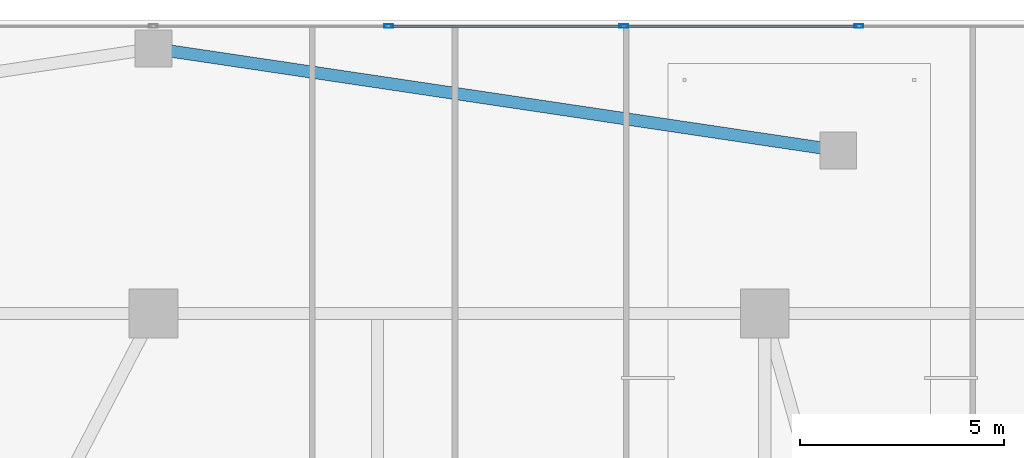
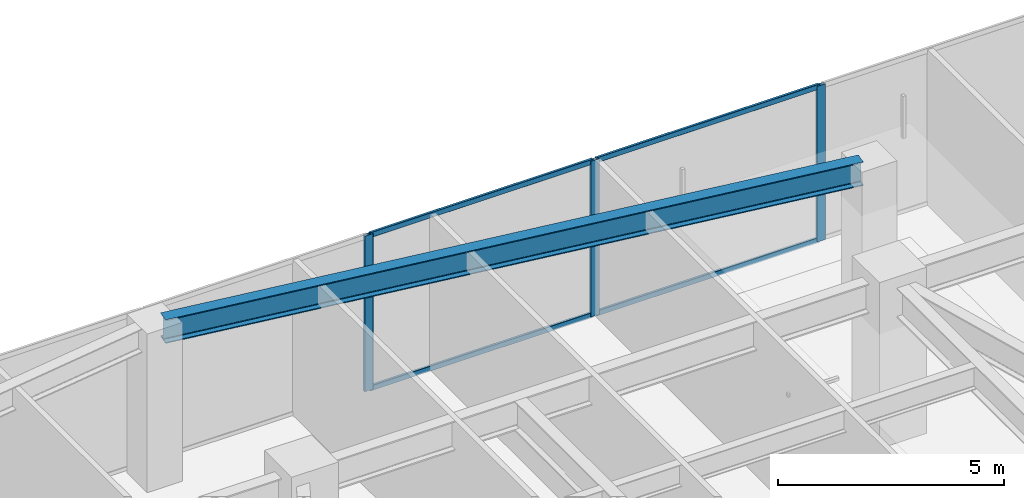
# One storey, part 6 of 22: 7 members, 1 beam, 1 element without a shape of its own.
"""IFC4 building model written with IfcOpenShell, lengths in metres."""

from ifc_helpers import new_model, si_unit, direction, frame, origin, origin_2d, place, context, subcontext, project, spatial, hollow_rectangle, i_section, extrude, material, layer, layer_set, material_profile, profile_set, type_object, element, aggregate, save


model = new_model("IFC4")

# Units and contexts
model_context = context("Model", 3, precision=1e-05, world=origin(), true_north=direction((0.0, 1.0)))
body_context = subcontext(model_context, "Body", "Model", "MODEL_VIEW")
ifc_project = project(units=[si_unit("LENGTHUNIT", "METRE"), si_unit("AREAUNIT", "SQUARE_METRE"), si_unit("VOLUMEUNIT", "CUBIC_METRE"), si_unit("PLANEANGLEUNIT", "RADIAN"), si_unit("MASSUNIT", "GRAM", prefix="KILO")], contexts=[model_context])

# Site, building, storey
site_placement = place(None, origin())
site = spatial("IfcSite", under=ifc_project, at=site_placement, CompositionType="ELEMENT")
building_placement = place(site_placement, origin())
building = spatial("IfcBuilding", under=site, at=building_placement, Name="Tarnavaz Court Tower", CompositionType="ELEMENT")
storey_placement = place(building_placement, frame((0.0, 0.0, 14.39990234375)))
storey = spatial("IfcBuildingStorey", under=building, at=storey_placement, Name="L03", CompositionType="ELEMENT", Elevation=14.39990234375)

# Beam
ifc_material_1 = material(Name="Steel S355", Category="steel")
ifc_material_profile_1 = material_profile(ifc_material_1, i_section(OverallWidth=0.300048828125, OverallDepth=0.639892578125, WebThickness=0.013427734375, FlangeThickness=0.02587890625, FilletRadius=0.027099609375, at=origin_2d()), Name="HEA 650")
ifc_profile_set_1 = profile_set([ifc_material_profile_1], Name="Steel S355")
beam_type = type_object("IfcBeamType", Name="BM-SP-HEA650", PredefinedType="SPANDREL", material=ifc_profile_set_1)
beam_placement = place(storey_placement, frame((0.19775390625, 29.2705078125, 3.960205078125), z_axis=(0.989108332922, -0.147189353368, 0.0), x_axis=(0.147189353368, 0.989108332922, 0.0)))
element("IfcBeam", 1, at=beam_placement, inside=storey, type_object=beam_type, Name="L03 Beam PR-POD-N2-POD-N3", PredefinedType="SPANDREL", context=body_context, shape_type="SweptSolid", body=[
    extrude(i_section(OverallWidth=0.300048828125, OverallDepth=0.639892578125, WebThickness=0.013427734375, FlangeThickness=0.02587890625, FilletRadius=0.027099609375, at=origin_2d()), origin(), (0.0, 0.0, 1.0), 16.585205078125),
])

# Curtain wall, members
ifc_material_2 = material(Name="Anodised Aluminium 6063-T6 and Solar Low-E Glazing", Category="aluminium")
ifc_layer = layer(ifc_material_2, 0.18994140625)
ifc_layer_set = layer_set([ifc_layer], Name="Anodised Aluminium 6063-T6 and Solar Low-E Glazing")
curtain_wall_type = type_object("IfcCurtainWallType", Name="CW-SYS-01", PredefinedType="NOTDEFINED", material=ifc_layer_set)
curtain_wall_placement = place(storey_placement, origin())
curtain_wall = element("IfcCurtainWall", 2, at=curtain_wall_placement, inside=storey, type_object=curtain_wall_type, Name="L03 Clinic Podium Curtain Wall 1", PredefinedType="NOTDEFINED")
ifc_material_3 = material(Name="Anodised Aluminium 6063-T6", Category="aluminium")
ifc_material_profile_2 = material_profile(ifc_material_3, hollow_rectangle(XDim=0.0849609375, YDim=0.219970703125, WallThickness=0.006103515625, InnerFilletRadius=0.006103515625, OuterFilletRadius=0.011962890625, at=origin_2d()), Name="ALU RHS 220X85X6")
ifc_profile_set_2 = profile_set([ifc_material_profile_2], Name="Anodised Aluminium 6063-T6")
member_type_1 = type_object("IfcMemberType", Name="CW-MUL-220", PredefinedType="MULLION", material=ifc_profile_set_2)
member_1_placement = place(storey_placement, frame((5.77001953125, 29.85009765625, 0.0), z_axis=(0.0, 0.0, 1.0), x_axis=(0.0, 1.0, 0.0)))
member_1 = element("IfcMember", 3, at=member_1_placement, type_object=member_type_1, Name="CW mullion 7", PredefinedType="MULLION", context=body_context, shape_type="SweptSolid", body=[
    extrude(hollow_rectangle(XDim=0.0849609375, YDim=0.219970703125, WallThickness=0.006103515625, InnerFilletRadius=0.006103515625, OuterFilletRadius=0.011962890625, at=origin_2d()), origin(), (0.0, 0.0, 1.0), 4.2001953125),
])
member_2_placement = place(storey_placement, frame((11.5400390625, 29.85009765625, 0.0), z_axis=(0.0, 0.0, 1.0), x_axis=(0.0, 1.0, 0.0)))
member_2 = element("IfcMember", 4, at=member_2_placement, type_object=member_type_1, Name="CW mullion 8", PredefinedType="MULLION", context=body_context, shape_type="SweptSolid", body=[
    extrude(hollow_rectangle(XDim=0.0849609375, YDim=0.219970703125, WallThickness=0.006103515625, InnerFilletRadius=0.006103515625, OuterFilletRadius=0.011962890625, at=origin_2d()), origin(), (0.0, 0.0, 1.0), 4.2001953125),
])
member_3_placement = place(storey_placement, frame((17.31005859375, 29.85009765625, 0.0), z_axis=(0.0, 0.0, 1.0), x_axis=(0.0, 1.0, 0.0)))
member_3 = element("IfcMember", 5, at=member_3_placement, type_object=member_type_1, Name="CW mullion 9", PredefinedType="MULLION", context=body_context, shape_type="SweptSolid", body=[
    extrude(hollow_rectangle(XDim=0.0849609375, YDim=0.219970703125, WallThickness=0.006103515625, InnerFilletRadius=0.006103515625, OuterFilletRadius=0.011962890625, at=origin_2d()), origin(), (0.0, 0.0, 1.0), 4.2001953125),
])
ifc_material_profile_3 = material_profile(ifc_material_3, hollow_rectangle(XDim=0.06494140625, YDim=0.139892578125, WallThickness=0.00390625, InnerFilletRadius=0.00390625, OuterFilletRadius=0.008056640625, at=origin_2d()), Name="ALU RHS 140X65X4")
ifc_profile_set_3 = profile_set([ifc_material_profile_3], Name="Anodised Aluminium 6063-T6")
member_type_2 = type_object("IfcMemberType", Name="CW-TRN-140", PredefinedType="USERDEFINED", material=ifc_profile_set_3)
member_4_placement = place(storey_placement, frame((5.8125, 29.85009765625, 0.03271484375), z_axis=(1.0, 0.0, 0.0), x_axis=(0.0, 1.0, 0.0)))
member_4 = element("IfcMember", 6, at=member_4_placement, type_object=member_type_2, Name="CW transom 7.1", ObjectType="TRANSOM", PredefinedType="USERDEFINED", context=body_context, shape_type="SweptSolid", body=[
    extrude(hollow_rectangle(XDim=0.06494140625, YDim=0.139892578125, WallThickness=0.00390625, InnerFilletRadius=0.00390625, OuterFilletRadius=0.008056640625, at=origin_2d()), origin(), (0.0, 0.0, 1.0), 5.68505859375),
])
member_5_placement = place(storey_placement, frame((5.8125, 29.85009765625, 4.16748046875), z_axis=(1.0, 0.0, 0.0), x_axis=(0.0, 1.0, 0.0)))
member_5 = element("IfcMember", 7, at=member_5_placement, type_object=member_type_2, Name="CW transom 7.2", ObjectType="TRANSOM", PredefinedType="USERDEFINED", context=body_context, shape_type="SweptSolid", body=[
    extrude(hollow_rectangle(XDim=0.06494140625, YDim=0.139892578125, WallThickness=0.00390625, InnerFilletRadius=0.00390625, OuterFilletRadius=0.008056640625, at=origin_2d()), origin(), (0.0, 0.0, 1.0), 5.68505859375),
])
member_6_placement = place(storey_placement, frame((11.58251953125, 29.85009765625, 0.03271484375), z_axis=(1.0, 0.0, 0.0), x_axis=(0.0, 1.0, 0.0)))
member_6 = element("IfcMember", 8, at=member_6_placement, type_object=member_type_2, Name="CW transom 8.1", ObjectType="TRANSOM", PredefinedType="USERDEFINED", context=body_context, shape_type="SweptSolid", body=[
    extrude(hollow_rectangle(XDim=0.06494140625, YDim=0.139892578125, WallThickness=0.00390625, InnerFilletRadius=0.00390625, OuterFilletRadius=0.008056640625, at=origin_2d()), origin(), (0.0, 0.0, 1.0), 5.68505859375),
])
member_7_placement = place(storey_placement, frame((11.58251953125, 29.85009765625, 4.16748046875), z_axis=(1.0, 0.0, 0.0), x_axis=(0.0, 1.0, 0.0)))
member_7 = element("IfcMember", 9, at=member_7_placement, type_object=member_type_2, Name="CW transom 8.2", ObjectType="TRANSOM", PredefinedType="USERDEFINED", context=body_context, shape_type="SweptSolid", body=[
    extrude(hollow_rectangle(XDim=0.06494140625, YDim=0.139892578125, WallThickness=0.00390625, InnerFilletRadius=0.00390625, OuterFilletRadius=0.008056640625, at=origin_2d()), origin(), (0.0, 0.0, 1.0), 5.68505859375),
])
aggregate(curtain_wall, [member_1, member_2, member_3, member_4, member_5, member_6, member_7])

save(model, "model.ifc")
